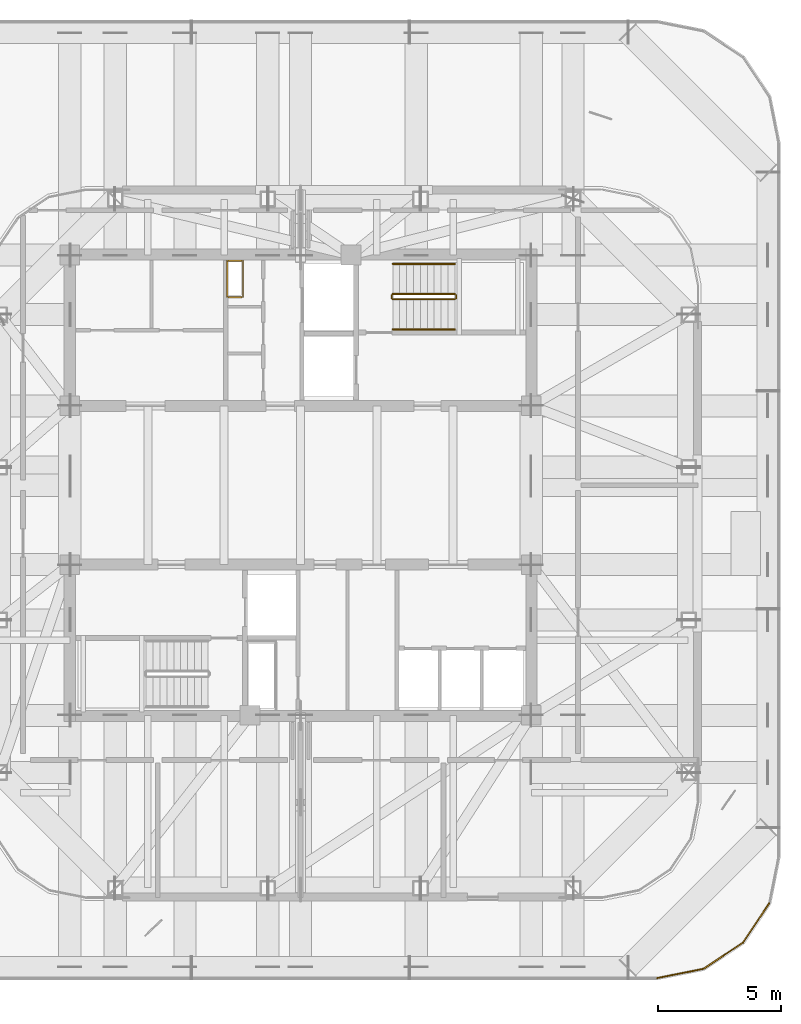
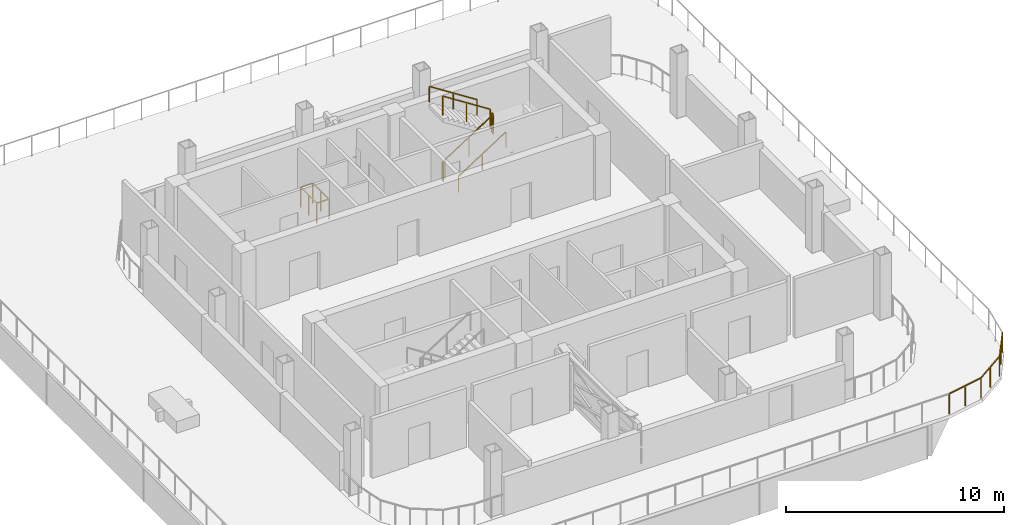
# One storey, part 9 of 10: 10 railings.
"""IFC4 building model written with IfcOpenShell, lengths in metres."""

from ifc_helpers import new_model, si_unit, direction, frame, origin, origin_2d, place, context, subcontext, project, spatial, rectangle, extrude, material, type_object, element, save


model = new_model("IFC4")

# Units and contexts
model_context = context("Model", 3, precision=1e-05, world=origin(), true_north=direction((0.0, 1.0)))
body_context = subcontext(model_context, "Body", "Model", "MODEL_VIEW")
ifc_project = project(units=[si_unit("LENGTHUNIT", "METRE"), si_unit("AREAUNIT", "SQUARE_METRE"), si_unit("VOLUMEUNIT", "CUBIC_METRE"), si_unit("PLANEANGLEUNIT", "RADIAN"), si_unit("MASSUNIT", "GRAM", prefix="KILO")], contexts=[model_context])

# Site, building, storey
site_placement = place(None, origin())
site = spatial("IfcSite", under=ifc_project, at=site_placement, CompositionType="ELEMENT")
building_placement = place(site_placement, origin())
building = spatial("IfcBuilding", under=site, at=building_placement, Name="Qhalaya Broadcast Tower", CompositionType="ELEMENT")
storey_placement = place(building_placement, frame((0.0, 0.0, 231.300048828125)))
storey = spatial("IfcBuildingStorey", under=building, at=storey_placement, Name="L68", CompositionType="ELEMENT", Elevation=231.300048828125)

# Railings
ifc_material = material(Name="Powder-Coated Galvanised Steel", Category="steel")
railing_type_1 = type_object("IfcRailingType", Name="Stair Wall Handrail 900", PredefinedType="HANDRAIL", material=ifc_material)
railing_1_placement = place(storey_placement, frame((3.75, 6.929931640625, 0.179931640625)))
element("IfcRailing", 1, at=railing_1_placement, inside=storey, type_object=railing_type_1, Name="L68 ST-1 Stair Handrail 1", PredefinedType="HANDRAIL", context=body_context, shape_type="SweptSolid", body=[
    extrude(rectangle(XDim=0.048095703125, YDim=0.048095703125, at=origin_2d()), frame((0.0, 0.0, 0.8759765625), z_axis=(0.841162588446, 0.0, 0.540782303519), x_axis=(0.0, 1.0, 0.0)), (0.0, 0.0, 1.0), 2.995849609375),
    extrude(rectangle(XDim=0.0419921875, YDim=0.0419921875, at=origin_2d()), origin(), (0.0, 0.0, 1.0), 0.849853515625),
    extrude(rectangle(XDim=0.0419921875, YDim=0.0419921875, at=origin_2d()), frame((1.260009765625, 0.0, 0.81005859375)), (0.0, 0.0, 1.0), 0.849853515625),
    extrude(rectangle(XDim=0.0419921875, YDim=0.0419921875, at=origin_2d()), frame((2.52001953125, 0.0, 1.6201171875)), (0.0, 0.0, 1.0), 0.849853515625),
])
railing_2_placement = place(storey_placement, frame((6.27001953125, 9.590087890625, 1.97998046875)))
element("IfcRailing", 2, at=railing_2_placement, inside=storey, type_object=railing_type_1, Name="L68 ST-1 Stair Handrail 2", PredefinedType="HANDRAIL", context=body_context, shape_type="SweptSolid", body=[
    extrude(rectangle(XDim=0.048095703125, YDim=0.048095703125, at=origin_2d()), frame((0.0, 0.0, 0.8759765625), z_axis=(-0.841199657755, 0.0, 0.540724639528), x_axis=(0.0, -1.0, 0.0)), (0.0, 0.0, 1.0), 2.995849609375),
    extrude(rectangle(XDim=0.0419921875, YDim=0.0419921875, at=origin_2d()), origin(), (0.0, 0.0, 1.0), 0.849853515625),
    extrude(rectangle(XDim=0.0419921875, YDim=0.0419921875, at=origin_2d()), frame((-1.260009765625, 0.0, 0.81005859375)), (0.0, 0.0, 1.0), 0.849853515625),
    extrude(rectangle(XDim=0.0419921875, YDim=0.0419921875, at=origin_2d()), frame((-2.52001953125, 0.0, 1.619873046875)), (0.0, 0.0, 1.0), 0.849853515625),
])
railing_type_2 = type_object("IfcRailingType", Name="Stair Well & Landing Guardrail 1100", PredefinedType="GUARDRAIL", material=ifc_material)
railing_3_placement = place(storey_placement, frame((-2.340087890625, 8.239990234375, 0.0)))
element("IfcRailing", 3, at=railing_3_placement, inside=storey, type_object=railing_type_2, Name="L68 Service Riser Opening Safety Guard NRSR", PredefinedType="GUARDRAIL", context=body_context, shape_type="SweptSolid", body=[
    extrude(rectangle(XDim=0.048095703125, YDim=0.048095703125, at=origin_2d()), frame((0.0, 0.02880859375, 1.1259765625), z_axis=(0.0, 1.0, 0.0), x_axis=(-1.0, 0.0, 0.0)), (0.0, 0.0, 1.0), 1.42236328125),
    extrude(rectangle(XDim=0.048095703125, YDim=0.048095703125, at=origin_2d()), frame((-0.02880859375, 1.47998046875, 1.1259765625), z_axis=(-1.0, 0.0, 0.0), x_axis=(0.0, -1.0, 0.0)), (0.0, 0.0, 1.0), 0.582275390625),
    extrude(rectangle(XDim=0.048095703125, YDim=0.048095703125, at=origin_2d()), frame((-0.639892578125, 1.451171875, 1.1259765625), z_axis=(0.0, -1.0, 0.0), x_axis=(1.0, 0.0, 0.0)), (0.0, 0.0, 1.0), 1.42236328125),
    extrude(rectangle(XDim=0.048095703125, YDim=0.048095703125, at=origin_2d()), frame((-0.611083984375, 0.0, 1.1259765625), z_axis=(1.0, 0.0, 0.0), x_axis=(0.0, 1.0, 0.0)), (0.0, 0.0, 1.0), 0.582275390625),
    extrude(rectangle(XDim=0.0419921875, YDim=0.0419921875, at=origin_2d()), origin(), (0.0, 0.0, 1.0), 1.099853515625),
    extrude(rectangle(XDim=0.0419921875, YDim=0.0419921875, at=origin_2d()), frame((0.0, 0.739990234375, 0.0)), (0.0, 0.0, 1.0), 1.099853515625),
    extrude(rectangle(XDim=0.0419921875, YDim=0.0419921875, at=origin_2d()), frame((0.0, 1.47998046875, 0.0)), (0.0, 0.0, 1.0), 1.099853515625),
    extrude(rectangle(XDim=0.0419921875, YDim=0.0419921875, at=origin_2d()), frame((-0.639892578125, 1.47998046875, 0.0)), (0.0, 0.0, 1.0), 1.099853515625),
    extrude(rectangle(XDim=0.0419921875, YDim=0.0419921875, at=origin_2d()), frame((-0.639892578125, 0.739990234375, 0.0)), (0.0, 0.0, 1.0), 1.099853515625),
    extrude(rectangle(XDim=0.0419921875, YDim=0.0419921875, at=origin_2d()), frame((-0.639892578125, 0.0, 0.0)), (0.0, 0.0, 1.0), 1.099853515625),
])
railing_4_placement = place(storey_placement, frame((3.75, 8.14990234375, 0.179931640625)))
element("IfcRailing", 4, at=railing_4_placement, inside=storey, type_object=railing_type_2, Name="L68 ST-1 Stair Guard 1", PredefinedType="GUARDRAIL", context=body_context, shape_type="SweptSolid", body=[
    extrude(rectangle(XDim=0.048095703125, YDim=0.048095703125, at=origin_2d()), frame((0.0, 0.0, 1.076171875), z_axis=(0.841162588446, 0.0, 0.540782303519), x_axis=(0.0, 1.0, 0.0)), (0.0, 0.0, 1.0), 2.995849609375),
    extrude(rectangle(XDim=0.0419921875, YDim=0.0419921875, at=origin_2d()), origin(), (0.0, 0.0, 1.0), 1.050048828125),
    extrude(rectangle(XDim=0.0419921875, YDim=0.0419921875, at=origin_2d()), frame((1.260009765625, 0.0, 0.81005859375)), (0.0, 0.0, 1.0), 1.050048828125),
    extrude(rectangle(XDim=0.0419921875, YDim=0.0419921875, at=origin_2d()), frame((2.52001953125, 0.0, 1.6201171875)), (0.0, 0.0, 1.0), 1.050048828125),
])
railing_5_placement = place(storey_placement, frame((6.320068359375, 8.199951171875, 1.800048828125)))
element("IfcRailing", 5, at=railing_5_placement, inside=storey, type_object=railing_type_2, Name="L68 ST-1 Stair Guard 2", PredefinedType="GUARDRAIL", context=body_context, shape_type="SweptSolid", body=[
    extrude(rectangle(XDim=0.048095703125, YDim=0.048095703125, at=origin_2d()), frame((0.0, 0.0, 1.076171875), z_axis=(0.0, 1.0, 0.0), x_axis=(-1.0, 0.0, 0.0)), (0.0, 0.0, 1.0), 0.1201171875),
    extrude(rectangle(XDim=0.0419921875, YDim=0.0419921875, at=origin_2d()), origin(), (0.0, 0.0, 1.0), 1.050048828125),
    extrude(rectangle(XDim=0.0419921875, YDim=0.0419921875, at=origin_2d()), frame((0.0, 0.1201171875, 0.0)), (0.0, 0.0, 1.0), 1.050048828125),
])
railing_6_placement = place(storey_placement, frame((6.27001953125, 8.3701171875, 1.97998046875)))
element("IfcRailing", 6, at=railing_6_placement, inside=storey, type_object=railing_type_2, Name="L68 ST-1 Stair Guard 3", PredefinedType="GUARDRAIL", context=body_context, shape_type="SweptSolid", body=[
    extrude(rectangle(XDim=0.048095703125, YDim=0.048095703125, at=origin_2d()), frame((0.0, 0.0, 1.076171875), z_axis=(-0.841199657755, 0.0, 0.540724639528), x_axis=(0.0, -1.0, 0.0)), (0.0, 0.0, 1.0), 2.995849609375),
    extrude(rectangle(XDim=0.0419921875, YDim=0.0419921875, at=origin_2d()), origin(), (0.0, 0.0, 1.0), 1.050048828125),
    extrude(rectangle(XDim=0.0419921875, YDim=0.0419921875, at=origin_2d()), frame((-1.260009765625, 0.0, 0.81005859375)), (0.0, 0.0, 1.0), 1.050048828125),
    extrude(rectangle(XDim=0.0419921875, YDim=0.0419921875, at=origin_2d()), frame((-2.52001953125, 0.0, 1.619873046875)), (0.0, 0.0, 1.0), 1.050048828125),
])
railing_7_placement = place(storey_placement, frame((3.699951171875, 8.199951171875, 0.0)))
element("IfcRailing", 7, at=railing_7_placement, inside=storey, type_object=railing_type_2, Name="L68 ST-1 Stair Guard 4", PredefinedType="GUARDRAIL", context=body_context, shape_type="SweptSolid", body=[
    extrude(rectangle(XDim=0.048095703125, YDim=0.048095703125, at=origin_2d()), frame((0.0, 0.0, 1.076171875), z_axis=(0.0, 1.0, 0.0), x_axis=(-1.0, 0.0, 0.0)), (0.0, 0.0, 1.0), 0.1201171875),
    extrude(rectangle(XDim=0.0419921875, YDim=0.0419921875, at=origin_2d()), origin(), (0.0, 0.0, 1.0), 1.050048828125),
    extrude(rectangle(XDim=0.0419921875, YDim=0.0419921875, at=origin_2d()), frame((0.0, 0.1201171875, 0.0)), (0.0, 0.0, 1.0), 1.050048828125),
])
railing_type_3 = type_object("IfcRailingType", Name="Terrace, Sky-Pool & Lookout Glass Balustrade 1150", PredefinedType="BALUSTRADE", material=ifc_material)
railing_8_placement = place(storey_placement, frame((19.0439453125, -16.382080078125, 0.0)))
element("IfcRailing", 8, at=railing_8_placement, inside=storey, type_object=railing_type_3, Name="L68 Perimeter Safety Balustrade BAL-TER1-18", PredefinedType="BALUSTRADE", context=body_context, shape_type="SweptSolid", body=[
    extrude(rectangle(XDim=0.048095703125, YDim=0.048095703125, at=origin_2d()), frame((0.0, 0.0, 1.1259765625), z_axis=(-0.555551272932, -0.831482280715, 0.0), x_axis=(0.831482280715, -0.555551272932, 0.0)), (0.0, 0.0, 1.0), 1.919189453125),
    extrude(rectangle(XDim=0.0419921875, YDim=0.0419921875, at=origin_2d()), origin(), (0.0, 0.0, 1.0), 1.099853515625),
    extrude(rectangle(XDim=0.0419921875, YDim=0.0419921875, at=origin_2d()), frame((-0.533203125, -0.7978515625, 0.0)), (0.0, 0.0, 1.0), 1.099853515625),
    extrude(rectangle(XDim=0.0419921875, YDim=0.0419921875, at=origin_2d()), frame((-1.066162109375, -1.595703125, 0.0)), (0.0, 0.0, 1.0), 1.099853515625),
])
railing_9_placement = place(storey_placement, frame((17.977783203125, -17.977783203125, 0.0)))
element("IfcRailing", 9, at=railing_9_placement, inside=storey, type_object=railing_type_3, Name="L68 Perimeter Safety Balustrade BAL-TER1-19", PredefinedType="BALUSTRADE", context=body_context, shape_type="SweptSolid", body=[
    extrude(rectangle(XDim=0.048095703125, YDim=0.048095703125, at=origin_2d()), frame((0.0, 0.0, 1.1259765625), z_axis=(-0.831482280715, -0.555551272932, 0.0), x_axis=(0.555551272932, -0.831482280715, 0.0)), (0.0, 0.0, 1.0), 1.919189453125),
    extrude(rectangle(XDim=0.0419921875, YDim=0.0419921875, at=origin_2d()), origin(), (0.0, 0.0, 1.0), 1.099853515625),
    extrude(rectangle(XDim=0.0419921875, YDim=0.0419921875, at=origin_2d()), frame((-0.7978515625, -0.533203125, 0.0)), (0.0, 0.0, 1.0), 1.099853515625),
    extrude(rectangle(XDim=0.0419921875, YDim=0.0419921875, at=origin_2d()), frame((-1.595703125, -1.066162109375, 0.0)), (0.0, 0.0, 1.0), 1.099853515625),
])
railing_10_placement = place(storey_placement, frame((16.382080078125, -19.0439453125, 0.0)))
element("IfcRailing", 10, at=railing_10_placement, inside=storey, type_object=railing_type_3, Name="L68 Perimeter Safety Balustrade BAL-TER1-20", PredefinedType="BALUSTRADE", context=body_context, shape_type="SweptSolid", body=[
    extrude(rectangle(XDim=0.048095703125, YDim=0.048095703125, at=origin_2d()), frame((0.0, 0.0, 1.1259765625), z_axis=(-0.980779962021, -0.195117057423, 0.0), x_axis=(0.195117057423, -0.980779962021, 0.0)), (0.0, 0.0, 1.0), 1.927001953125),
    extrude(rectangle(XDim=0.0419921875, YDim=0.0419921875, at=origin_2d()), origin(), (0.0, 0.0, 1.0), 1.099853515625),
    extrude(rectangle(XDim=0.0419921875, YDim=0.0419921875, at=origin_2d()), frame((-0.94482421875, -0.18798828125, 0.0)), (0.0, 0.0, 1.0), 1.099853515625),
    extrude(rectangle(XDim=0.0419921875, YDim=0.0419921875, at=origin_2d()), frame((-1.889892578125, -0.3759765625, 0.0)), (0.0, 0.0, 1.0), 1.099853515625),
])

save(model, "model.ifc")
